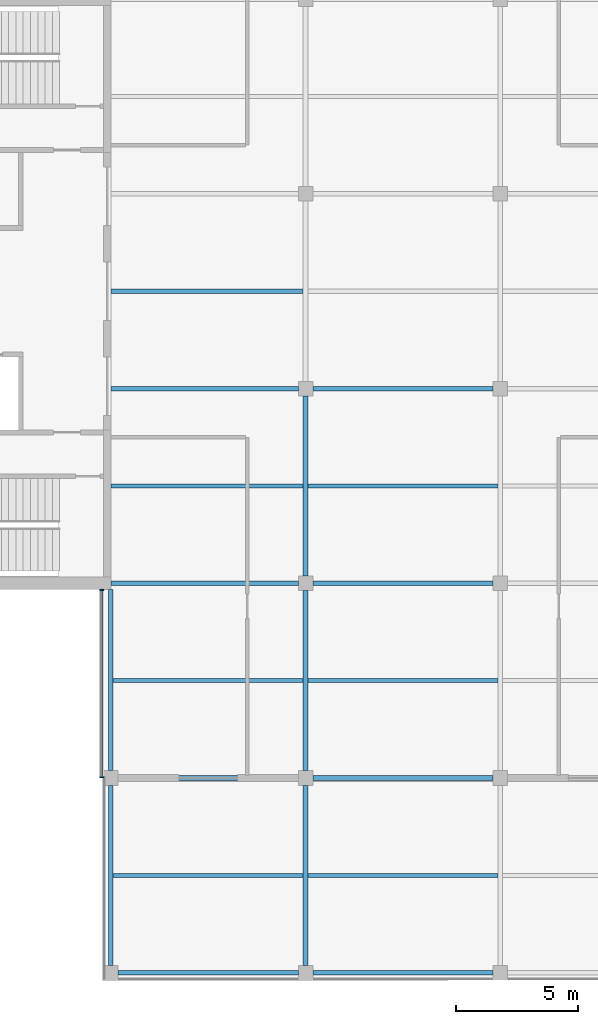
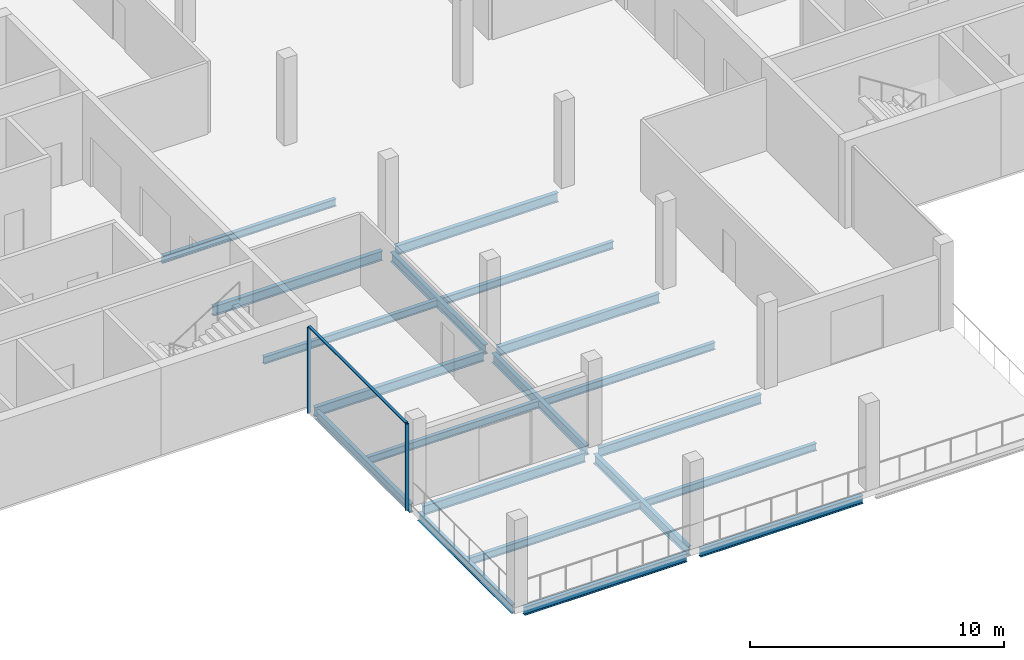
# One storey, part 2 of 12: 20 beams, 3 members, 1 element without a shape of its own.
"""IFC4 building model written with IfcOpenShell, lengths in metres."""

from ifc_helpers import new_model, si_unit, direction, frame, origin, origin_2d, place, context, subcontext, project, spatial, rectangle, i_section, extrude, material, material_profile, profile_set, type_object, element, aggregate, save


model = new_model("IFC4")

# Units and contexts
model_context = context("Model", 3, precision=1e-05, world=origin(), true_north=direction((0.0, 1.0)))
body_context = subcontext(model_context, "Body", "Model", "MODEL_VIEW")
ifc_project = project(units=[si_unit("LENGTHUNIT", "METRE"), si_unit("AREAUNIT", "SQUARE_METRE"), si_unit("VOLUMEUNIT", "CUBIC_METRE"), si_unit("PLANEANGLEUNIT", "RADIAN"), si_unit("MASSUNIT", "GRAM", prefix="KILO")], contexts=[model_context])

# Site, building, storey
site_placement = place(None, origin())
site = spatial("IfcSite", under=ifc_project, at=site_placement, CompositionType="ELEMENT")
building_placement = place(site_placement, origin())
building = spatial("IfcBuilding", under=site, at=building_placement, Name="Crosswind Convention Tower", CompositionType="ELEMENT")
storey_placement = place(building_placement, frame((0.0, 0.0, 332.300048828125)))
storey = spatial("IfcBuildingStorey", under=building, at=storey_placement, Name="L72", CompositionType="ELEMENT", Elevation=332.300048828125)

# Beams
ifc_material_1 = material(Name="Steel S355", Category="steel")
ifc_material_profile_1 = material_profile(ifc_material_1, i_section(OverallWidth=0.177734375, OverallDepth=0.406494140625, WebThickness=0.0078125, FlangeThickness=0.0126953125, FilletRadius=0.01025390625, at=origin_2d()), Name="UB 406x178x60")
ifc_profile_set_1 = profile_set([ifc_material_profile_1], Name="Steel S355")
beam_type_1 = type_object("IfcBeamType", Name="Edge beam UB 406x178x60", PredefinedType="SPANDREL", material=ifc_profile_set_1)
beam_1_placement = place(storey_placement, frame((113.0, 72.300048828125, -0.503173828125), z_axis=(0.0, 1.0, 0.0), x_axis=(-1.0, 0.0, 0.0)))
element("IfcBeam", 1, at=beam_1_placement, inside=storey, type_object=beam_type_1, Name="B15 L72 edge beam 1", PredefinedType="SPANDREL", context=body_context, shape_type="SweptSolid", body=[
    extrude(i_section(OverallWidth=0.177734375, OverallDepth=0.406494140625, WebThickness=0.0078125, FlangeThickness=0.0126953125, FilletRadius=0.01025390625, at=origin_2d()), origin(), (0.0, 0.0, 1.0), 7.39990234375),
])
beam_2_placement = place(storey_placement, frame((113.0, 80.300048828125, -0.503173828125), z_axis=(0.0, 1.0, 0.0), x_axis=(-1.0, 0.0, 0.0)))
element("IfcBeam", 2, at=beam_2_placement, inside=storey, type_object=beam_type_1, Name="B15 L72 edge beam 2", PredefinedType="SPANDREL", context=body_context, shape_type="SweptSolid", body=[
    extrude(i_section(OverallWidth=0.177734375, OverallDepth=0.406494140625, WebThickness=0.0078125, FlangeThickness=0.0126953125, FilletRadius=0.01025390625, at=origin_2d()), origin(), (0.0, 0.0, 1.0), 7.449951171875),
])
for number, where, z_axis, x_axis, name in (
    (3, (113.300048828125, 72.0, -0.503173828125), (1.0, 0.0, 0.0), (0.0, 1.0, 0.0), "B15 L72 edge beam 5"),
    (4, (121.300048828125, 72.0, -0.503173828125), (1.0, 0.0, 0.0), (0.0, 1.0, 0.0), "B15 L72 edge beam 7"),
):
    element("IfcBeam", number, at=place(storey_placement, frame(where, z_axis=z_axis, x_axis=x_axis)), inside=storey, type_object=beam_type_1, Name=name, PredefinedType="SPANDREL", context=body_context, shape_type="SweptSolid", body=[
        extrude(i_section(OverallWidth=0.177734375, OverallDepth=0.406494140625, WebThickness=0.0078125, FlangeThickness=0.0126953125, FilletRadius=0.01025390625, at=origin_2d()), origin(), (0.0, 0.0, 1.0), 7.39990234375),
    ])
ifc_material_profile_2 = material_profile(ifc_material_1, i_section(OverallWidth=0.18994140625, OverallDepth=0.45361328125, WebThickness=0.008544921875, FlangeThickness=0.0126953125, FilletRadius=0.01025390625, at=origin_2d()), Name="UB 457x191x67")
ifc_profile_set_2 = profile_set([ifc_material_profile_2], Name="Steel S355")
beam_type_2 = type_object("IfcBeamType", Name="Girder UB 457x191x67", PredefinedType="BEAM", material=ifc_profile_set_2)
for number, where, z_axis, x_axis, name in (
    (5, (113.300048828125, 80.0, -0.52685546875), (1.0, 0.0, 0.0), (0.0, 1.0, 0.0), "B1 L72 girder 1"),
    (6, (121.0, 72.300048828125, -0.52685546875), (0.0, 1.0, 0.0), (-1.0, 0.0, 0.0), "B1 L72 girder 3"),
    (7, (121.0, 80.300048828125, -0.52685546875), (0.0, 1.0, 0.0), (-1.0, 0.0, 0.0), "B1 L72 girder 4"),
    (8, (121.0, 88.300048828125, -0.52685546875), (0.0, 1.0, 0.0), (-1.0, 0.0, 0.0), "B1 L72 girder 5"),
    (9, (121.300048828125, 80.0, -0.52685546875), (1.0, 0.0, 0.0), (0.0, 1.0, 0.0), "B1 L72 girder 10"),
    (10, (121.300048828125, 88.0, -0.52685546875), (1.0, 0.0, 0.0), (0.0, 1.0, 0.0), "B1 L72 girder 11"),
    (11, (121.300048828125, 96.0, -0.52685546875), (1.0, 0.0, 0.0), (0.0, 1.0, 0.0), "B1 L72 girder 12"),
):
    element("IfcBeam", number, at=place(storey_placement, frame(where, z_axis=z_axis, x_axis=x_axis)), inside=storey, type_object=beam_type_2, Name=name, PredefinedType="BEAM", context=body_context, shape_type="SweptSolid", body=[
        extrude(i_section(OverallWidth=0.18994140625, OverallDepth=0.45361328125, WebThickness=0.008544921875, FlangeThickness=0.0126953125, FilletRadius=0.01025390625, at=origin_2d()), origin(), (0.0, 0.0, 1.0), 7.39990234375),
    ])
ifc_material_profile_3 = material_profile(ifc_material_1, i_section(OverallWidth=0.1904296875, OverallDepth=0.457275390625, WebThickness=0.009033203125, FlangeThickness=0.014404296875, FilletRadius=0.01025390625, at=origin_2d()), Name="UB 457x191x75")
ifc_profile_set_3 = profile_set([ifc_material_profile_3], Name="Steel S355")
beam_type_3 = type_object("IfcBeamType", Name="Girder at core wall UB 457x191x75", PredefinedType="BEAM", material=ifc_profile_set_3)
for number, where, z_axis, x_axis, name in (
    (12, (113.0, 88.0, -0.528564453125), (1.0, 0.0, 0.0), (0.0, 1.0, 0.0), "B22 L72 girder at core wall 1"),
    (13, (113.0, 96.0, -0.528564453125), (1.0, 0.0, 0.0), (0.0, 1.0, 0.0), "B22 L72 girder at core wall 2"),
):
    element("IfcBeam", number, at=place(storey_placement, frame(where, z_axis=z_axis, x_axis=x_axis)), inside=storey, type_object=beam_type_3, Name=name, PredefinedType="BEAM", context=body_context, shape_type="SweptSolid", body=[
        extrude(i_section(OverallWidth=0.1904296875, OverallDepth=0.457275390625, WebThickness=0.009033203125, FlangeThickness=0.014404296875, FilletRadius=0.01025390625, at=origin_2d()), origin(), (0.0, 0.0, 1.0), 7.699951171875),
    ])

# Curtain wall, members
ifc_material_2 = material(Name="Aluminium unitised curtain wall", Category="aluminium")
curtain_wall_type = type_object("IfcCurtainWallType", Name="CORE END SLOT WALL 160", PredefinedType="USERDEFINED", material=ifc_material_2)
curtain_wall_placement = place(storey_placement, origin())
curtain_wall = element("IfcCurtainWall", 14, at=curtain_wall_placement, inside=storey, type_object=curtain_wall_type, Name="CW6 L72 S-W.1-1 slot", ObjectType="UNITISED", PredefinedType="USERDEFINED")
ifc_material_3 = material(Name="Aluminium mullion", Category="aluminium")
ifc_material_profile_4 = material_profile(ifc_material_3, rectangle(XDim=0.159912109375, YDim=0.050048828125, at=origin_2d()), Name="AL 160X50")
ifc_profile_set_4 = profile_set([ifc_material_profile_4], Name="Aluminium mullion")
member_type_1 = type_object("IfcMemberType", Name="MULLION 50X160", PredefinedType="MULLION", material=ifc_profile_set_4)
member_1_placement = place(storey_placement, frame((112.6201171875, 87.72509765625, -0.300048828125), z_axis=(0.0, 0.0, 1.0), x_axis=(-1.0, 0.0, 0.0)))
member_1 = element("IfcMember", 15, at=member_1_placement, type_object=member_type_1, Name="CW6 mullion 1", PredefinedType="MULLION", context=body_context, shape_type="SweptSolid", body=[
    extrude(rectangle(XDim=0.159912109375, YDim=0.050048828125, at=origin_2d()), origin(), (0.0, 0.0, 1.0), 4.14990234375),
])
member_2_placement = place(storey_placement, frame((112.6201171875, 80.02490234375, -0.300048828125), z_axis=(0.0, 0.0, 1.0), x_axis=(-1.0, 0.0, 0.0)))
member_2 = element("IfcMember", 16, at=member_2_placement, type_object=member_type_1, Name="CW6 mullion 2", PredefinedType="MULLION", context=body_context, shape_type="SweptSolid", body=[
    extrude(rectangle(XDim=0.159912109375, YDim=0.050048828125, at=origin_2d()), origin(), (0.0, 0.0, 1.0), 4.14990234375),
])

# Beams
ifc_material_profile_5 = material_profile(ifc_material_1, i_section(OverallWidth=0.17138671875, OverallDepth=0.355712890625, WebThickness=0.00732421875, FlangeThickness=0.011474609375, FilletRadius=0.01025390625, at=origin_2d()), Name="UB 356x171x51")
ifc_profile_set_5 = profile_set([ifc_material_profile_5], Name="Steel S355")
beam_type_4 = type_object("IfcBeamType", Name="Secondary beam UB 356x171x51", PredefinedType="JOIST", material=ifc_profile_set_5)
for number, where, z_axis, x_axis, name in (
    (17, (113.0, 92.0, -0.477783203125), (1.0, 0.0, 0.0), (0.0, 1.0, 0.0), "B8 L72 secondary beam 1"),
    (18, (113.0, 100.0, -0.477783203125), (1.0, 0.0, 0.0), (0.0, 1.0, 0.0), "B8 L72 secondary beam 2"),
):
    element("IfcBeam", number, at=place(storey_placement, frame(where, z_axis=z_axis, x_axis=x_axis)), inside=storey, type_object=beam_type_4, Name=name, PredefinedType="JOIST", context=body_context, shape_type="SweptSolid", body=[
        extrude(i_section(OverallWidth=0.17138671875, OverallDepth=0.355712890625, WebThickness=0.00732421875, FlangeThickness=0.011474609375, FilletRadius=0.01025390625, at=origin_2d()), origin(), (0.0, 0.0, 1.0), 7.905029296875),
    ])
for number, where, z_axis, x_axis, name in (
    (19, (113.0888671875, 76.0, -0.477783203125), (1.0, 0.0, 0.0), (0.0, 1.0, 0.0), "B8 L72 secondary beam 4"),
    (20, (113.0888671875, 84.0, -0.477783203125), (1.0, 0.0, 0.0), (0.0, 1.0, 0.0), "B8 L72 secondary beam 5"),
):
    element("IfcBeam", number, at=place(storey_placement, frame(where, z_axis=z_axis, x_axis=x_axis)), inside=storey, type_object=beam_type_4, Name=name, PredefinedType="JOIST", context=body_context, shape_type="SweptSolid", body=[
        extrude(i_section(OverallWidth=0.17138671875, OverallDepth=0.355712890625, WebThickness=0.00732421875, FlangeThickness=0.011474609375, FilletRadius=0.01025390625, at=origin_2d()), origin(), (0.0, 0.0, 1.0), 7.816162109375),
    ])
for number, where, z_axis, x_axis, name in (
    (21, (121.094970703125, 76.0, -0.477783203125), (1.0, 0.0, 0.0), (0.0, 1.0, 0.0), "B8 L72 secondary beam 8"),
    (22, (121.094970703125, 84.0, -0.477783203125), (1.0, 0.0, 0.0), (0.0, 1.0, 0.0), "B8 L72 secondary beam 9"),
    (23, (121.094970703125, 92.0, -0.477783203125), (1.0, 0.0, 0.0), (0.0, 1.0, 0.0), "B8 L72 secondary beam 10"),
):
    element("IfcBeam", number, at=place(storey_placement, frame(where, z_axis=z_axis, x_axis=x_axis)), inside=storey, type_object=beam_type_4, Name=name, PredefinedType="JOIST", context=body_context, shape_type="SweptSolid", body=[
        extrude(i_section(OverallWidth=0.17138671875, OverallDepth=0.355712890625, WebThickness=0.00732421875, FlangeThickness=0.011474609375, FilletRadius=0.01025390625, at=origin_2d()), origin(), (0.0, 0.0, 1.0), 7.81005859375),
    ])

# Member
ifc_material_4 = material(Name="Aluminium transom", Category="aluminium")
ifc_material_profile_6 = material_profile(ifc_material_4, rectangle(XDim=0.1201171875, YDim=0.050048828125, at=origin_2d()), Name="AL 120X50")
ifc_profile_set_6 = profile_set([ifc_material_profile_6], Name="Aluminium transom")
member_type_2 = type_object("IfcMemberType", Name="TRANSOM 50X120", PredefinedType="USERDEFINED", material=ifc_profile_set_6)
member_3_placement = place(storey_placement, frame((112.6201171875, 87.699951171875, 3.875), z_axis=(0.0, -1.0, 0.0), x_axis=(1.0, 0.0, 0.0)))
member_3 = element("IfcMember", 24, at=member_3_placement, type_object=member_type_2, Name="CW6 transom", ObjectType="TRANSOM", PredefinedType="USERDEFINED", context=body_context, shape_type="SweptSolid", body=[
    extrude(rectangle(XDim=0.1201171875, YDim=0.050048828125, at=origin_2d()), origin(), (0.0, 0.0, 1.0), 7.64990234375),
])

aggregate(curtain_wall, [member_1, member_2, member_3])

save(model, "model.ifc")
